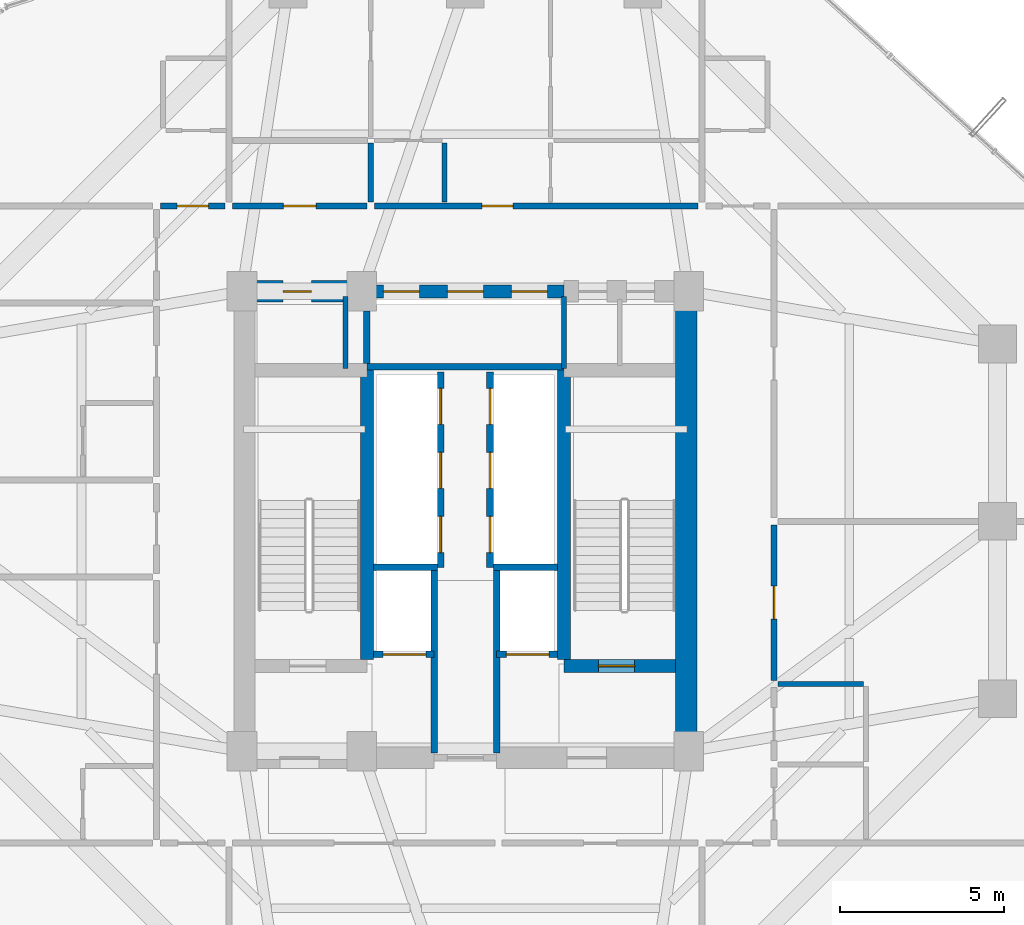
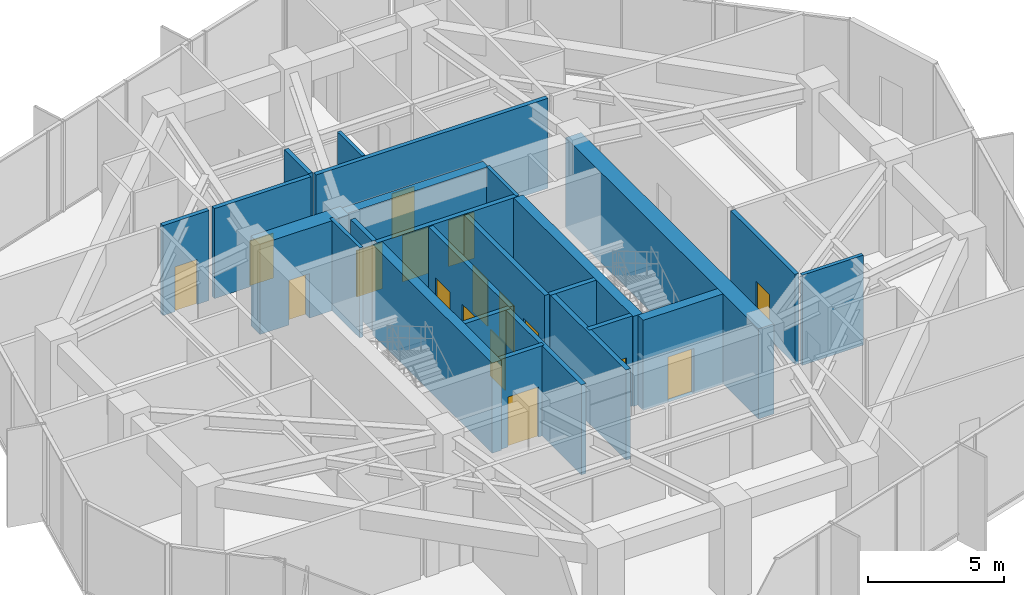
# One storey, part 24 of 28: 25 walls, 17 doors, 17 openings.
"""IFC4 building model written with IfcOpenShell, lengths in metres."""

from ifc_helpers import new_model, si_unit, direction, frame, frame_2d, origin, place, context, subcontext, project, spatial, rectangle, extrude, source, transform, mapped, material, layer, layer_set, type_object, element, fill, save


model = new_model("IFC4")

# Units and contexts
model_context = context("Model", 3, precision=1e-05, world=origin(), true_north=direction((0.0, 1.0)))
body_context = subcontext(model_context, "Body", "Model", "MODEL_VIEW")
ifc_project = project(units=[si_unit("LENGTHUNIT", "METRE"), si_unit("AREAUNIT", "SQUARE_METRE"), si_unit("VOLUMEUNIT", "CUBIC_METRE"), si_unit("PLANEANGLEUNIT", "RADIAN"), si_unit("MASSUNIT", "GRAM", prefix="KILO")], contexts=[model_context])

# Site, building, storey
site_placement = place(None, origin())
site = spatial("IfcSite", under=ifc_project, at=site_placement, CompositionType="ELEMENT")
building_placement = place(site_placement, origin())
building = spatial("IfcBuilding", under=site, at=building_placement, Name="Veraguas Prism Commons", CompositionType="ELEMENT")
storey_placement = place(building_placement, frame((0.0, 0.0, 85.14990234375)))
storey = spatial("IfcBuildingStorey", under=building, at=storey_placement, Name="L23", CompositionType="ELEMENT", Elevation=85.14990234375)

# Wall, openings, doors
ifc_material_1 = material(Name="Concrete C50/60", Category="concrete")
ifc_layer_1 = layer(ifc_material_1, 0.39990234375, Name="Clinic and Mid Core Shear Wall RC 400", Category="concrete")
ifc_layer_set_1 = layer_set([ifc_layer_1], Name="Concrete C50/60")
wall_type_1 = type_object("IfcWallType", Name="Clinic and Mid Core Shear Wall RC 400", PredefinedType="SHEAR", material=ifc_layer_set_1)
wall_1_placement = place(storey_placement, frame((21.0, 31.0, 0.0), z_axis=(0.0, 0.0, 1.0), x_axis=(1.0, 0.0, 0.0)))
wall_1 = element("IfcWall", 1, at=wall_1_placement, inside=storey, type_object=wall_type_1, Name="High-Rise Lift Bank Front Shear Wall L23", PredefinedType="SHEAR", context=body_context, shape_type="SweptSolid", body=[
    extrude(rectangle(XDim=6.0, YDim=0.39990234375, at=frame_2d((3.0, 0.0))), origin(), (0.0, 0.0, 1.0), 4.050048828125),
])
opening_1_placement = place(wall_1_placement, frame((0.5, 0.0, 0.0)))
opening_1 = element("IfcOpeningElement", 2, at=opening_1_placement, cuts=wall_1, Name="Opening LD-01", PredefinedType="OPENING", context=body_context, shape_type="SweptSolid", body=[
    extrude(rectangle(XDim=1.10009765625, YDim=2.080078125, at=frame_2d((0.550048828125, 1.0400390625))), frame((0.0, 0.2099609375, 0.0), z_axis=(0.0, -1.0, 0.0), x_axis=(1.0, 0.0, 0.0)), (0.0, 0.0, 1.0), 0.419921875),
])
opening_2_placement = place(wall_1_placement, frame((2.449951171875, 0.0, 0.0)))
opening_2 = element("IfcOpeningElement", 3, at=opening_2_placement, cuts=wall_1, Name="Opening LD-01", PredefinedType="OPENING", context=body_context, shape_type="SweptSolid", body=[
    extrude(rectangle(XDim=1.10009765625, YDim=2.080078125, at=frame_2d((0.550048828125, 1.0400390625))), frame((0.0, 0.2099609375, 0.0), z_axis=(0.0, -1.0, 0.0), x_axis=(1.0, 0.0, 0.0)), (0.0, 0.0, 1.0), 0.419921875),
])
opening_3_placement = place(wall_1_placement, frame((4.39990234375, 0.0, 0.0)))
opening_3 = element("IfcOpeningElement", 4, at=opening_3_placement, cuts=wall_1, Name="Opening LD-01", PredefinedType="OPENING", context=body_context, shape_type="SweptSolid", body=[
    extrude(rectangle(XDim=1.10009765625, YDim=2.080078125, at=frame_2d((0.550048828125, 1.0400390625))), frame((0.0, 0.2099609375, 0.0), z_axis=(0.0, -1.0, 0.0), x_axis=(1.0, 0.0, 0.0)), (0.0, 0.0, 1.0), 0.419921875),
])
ifc_material_2 = material(Name="Stainless steel AISI 316", Category="steel")
door_type_1 = type_object("IfcDoorType", Name="Passenger Lift Sliding Landing Door 1100x2080", OperationType="NOTDEFINED", PredefinedType="DOOR", material=ifc_material_2)
shared_shape_1 = source(origin(), body_context, "Body", "SweptSolid", [
    extrude(rectangle(XDim=1.10009765625, YDim=2.080078125, at=frame_2d((0.550048828125, 1.0400390625))), frame((0.0, 0.02490234375, 0.0), z_axis=(0.0, -1.0, 0.0), x_axis=(1.0, 0.0, 0.0)), (0.0, 0.0, 1.0), 0.050048828125),
])
door_1_placement = place(opening_1_placement, origin())
door_1 = element("IfcDoor", 5, at=door_1_placement, inside=storey, type_object=door_type_1, Name="Sliding Landing Door PL-H1 L23", OperationType="SLIDING_TO_LEFT", OverallHeight=2.080078125, OverallWidth=1.10009765625, PredefinedType="DOOR", context=body_context, shape_type="MappedRepresentation", body=[
    mapped(shared_shape_1, transform((0.0, 0.0, 0.0), scale=1.0)),
])
fill(opening_1, door_1)
door_2_placement = place(opening_2_placement, origin())
door_2 = element("IfcDoor", 6, at=door_2_placement, inside=storey, type_object=door_type_1, Name="Sliding Landing Door PL-H2 L23", OperationType="SLIDING_TO_LEFT", OverallHeight=2.080078125, OverallWidth=1.10009765625, PredefinedType="DOOR", context=body_context, shape_type="MappedRepresentation", body=[
    mapped(shared_shape_1, transform((0.0, 0.0, 0.0), scale=1.0)),
])
fill(opening_2, door_2)
door_3_placement = place(opening_3_placement, origin())
door_3 = element("IfcDoor", 7, at=door_3_placement, inside=storey, type_object=door_type_1, Name="Sliding Landing Door PL-H3 L23", OperationType="SLIDING_TO_LEFT", OverallHeight=2.080078125, OverallWidth=1.10009765625, PredefinedType="DOOR", context=body_context, shape_type="MappedRepresentation", body=[
    mapped(shared_shape_1, transform((0.0, 0.0, 0.0), scale=1.0)),
])
fill(opening_3, door_3)

# Wall, opening, door
wall_2_placement = place(storey_placement, frame((27.0, 19.60009765625, 0.0), z_axis=(0.0, 0.0, 1.0), x_axis=(1.0, 0.0, 0.0)))
wall_2 = element("IfcWall", 8, at=wall_2_placement, inside=storey, type_object=wall_type_1, Name="Stair ST-02 South Shear Wall L23", PredefinedType="SHEAR", context=body_context, shape_type="SweptSolid", body=[
    extrude(rectangle(XDim=3.39990234375, YDim=0.39990234375, at=frame_2d((1.699951171875, 0.0))), origin(), (0.0, 0.0, 1.0), 4.050048828125),
])
opening_4_placement = place(wall_2_placement, frame((1.050048828125, 0.0, 0.0)))
opening_4 = element("IfcOpeningElement", 9, at=opening_4_placement, cuts=wall_2, Name="Opening DR-05", PredefinedType="OPENING", context=body_context, shape_type="SweptSolid", body=[
    extrude(rectangle(XDim=1.10009765625, YDim=2.030029296875, at=frame_2d((0.550048828125, 1.01513671875))), frame((0.0, 0.2099609375, 0.0), z_axis=(0.0, -1.0, 0.0), x_axis=(1.0, 0.0, 0.0)), (0.0, 0.0, 1.0), 0.419921875),
])
ifc_material_3 = material(Name="Steel fire-rated door assembly", Category="steel")
door_type_2 = type_object("IfcDoorType", Name="Protected Stair and Refuge Fire Door 1100x2030", OperationType="NOTDEFINED", PredefinedType="DOOR", material=ifc_material_3)
shared_shape_2 = source(origin(), body_context, "Body", "SweptSolid", [
    extrude(rectangle(XDim=1.10009765625, YDim=2.030029296875, at=frame_2d((0.550048828125, 1.01513671875))), frame((0.0, 0.02490234375, 0.0), z_axis=(0.0, -1.0, 0.0), x_axis=(1.0, 0.0, 0.0)), (0.0, 0.0, 1.0), 0.050048828125),
])
door_4_placement = place(opening_4_placement, origin())
door_4 = element("IfcDoor", 10, at=door_4_placement, inside=storey, type_object=door_type_2, Name="Stair ST-02 Enclosure Door L23", OperationType="SINGLE_SWING_RIGHT", OverallHeight=2.030029296875, OverallWidth=1.10009765625, PredefinedType="DOOR", context=body_context, shape_type="MappedRepresentation", body=[
    mapped(shared_shape_2, transform((0.0, 0.0, 0.0), scale=1.0)),
])
fill(opening_4, door_4)

# Walls
for number, where, z_axis, x_axis, name in (
    (11, (21.0, 19.800048828125, 0.0), (0.0, 0.0, 1.0), (0.0, 1.0, 0.0), "Stair ST-01 Inner Shear Wall L23"),
    (12, (27.0, 19.800048828125, 0.0), (0.0, 0.0, 1.0), (0.0, 1.0, 0.0), "Stair ST-02 Inner Shear Wall L23"),
):
    element("IfcWall", number, at=place(storey_placement, frame(where, z_axis=z_axis, x_axis=x_axis)), inside=storey, type_object=wall_type_1, Name=name, PredefinedType="SHEAR", context=body_context, shape_type="SweptSolid", body=[
        extrude(rectangle(XDim=8.800048828125, YDim=0.39990234375, at=frame_2d((4.39990234375, 0.0))), origin(), (0.0, 0.0, 1.0), 4.050048828125),
    ])
ifc_material_4 = material(Name="Concrete C55/67", Category="concrete")
ifc_layer_2 = layer(ifc_material_4, 0.64990234375, Name="Core Outer Shear Wall Mid RC 650", Category="concrete")
ifc_layer_set_2 = layer_set([ifc_layer_2], Name="Concrete C55/67")
wall_type_2 = type_object("IfcWallType", Name="Core Outer Shear Wall Mid RC 650", PredefinedType="SHEAR", material=ifc_layer_set_2)
wall_3_placement = place(storey_placement, frame((30.72509765625, 16.800048828125, 0.0), z_axis=(0.0, 0.0, 1.0), x_axis=(0.0, 1.0, 0.0)))
element("IfcWall", 13, at=wall_3_placement, inside=storey, type_object=wall_type_2, Name="Central Core East Shear Wall L23", PredefinedType="SHEAR", context=body_context, shape_type="SweptSolid", body=[
    extrude(rectangle(XDim=14.199951171875, YDim=0.64990234375, at=frame_2d((7.10009765625, 0.0))), origin(), (0.0, 0.0, 1.0), 4.050048828125),
])

# Wall, opening, door
wall_4_placement = place(storey_placement, frame((17.199951171875, 31.0, 0.0), z_axis=(0.0, 0.0, 1.0), x_axis=(1.0, 0.0, 0.0)))
wall_4 = element("IfcWall", 14, at=wall_4_placement, inside=storey, type_object=wall_type_2, Name="Central Core North-West Shear Wall L23", PredefinedType="SHEAR", context=body_context, shape_type="SweptSolid", body=[
    extrude(rectangle(XDim=3.800048828125, YDim=0.64990234375, at=frame_2d((1.89990234375, 0.0))), origin(), (0.0, 0.0, 1.0), 4.050048828125),
])
opening_5_placement = place(wall_4_placement, frame((1.25, 0.0, 0.0)))
opening_5 = element("IfcOpeningElement", 15, at=opening_5_placement, cuts=wall_4, Name="Opening DR-12", PredefinedType="OPENING", context=body_context, shape_type="SweptSolid", body=[
    extrude(rectangle(XDim=0.860107421875, YDim=2.010009765625, at=frame_2d((0.43017578125, 1.0048828125))), frame((0.0, 0.3349609375, 0.0), z_axis=(0.0, -1.0, 0.0), x_axis=(1.0, 0.0, 0.0)), (0.0, 0.0, 1.0), 0.669921875),
])
door_type_3 = type_object("IfcDoorType", Name="Core WC Fire Door 860x2010", OperationType="NOTDEFINED", PredefinedType="DOOR", material=ifc_material_3)
shared_shape_3 = source(origin(), body_context, "Body", "SweptSolid", [
    extrude(rectangle(XDim=0.860107421875, YDim=2.010009765625, at=frame_2d((0.43017578125, 1.0048828125))), frame((0.0, 0.02490234375, 0.0), z_axis=(0.0, -1.0, 0.0), x_axis=(1.0, 0.0, 0.0)), (0.0, 0.0, 1.0), 0.050048828125),
])
door_5_placement = place(opening_5_placement, origin())
door_5 = element("IfcDoor", 16, at=door_5_placement, inside=storey, type_object=door_type_3, Name="Core NW Service Door L23", OperationType="SINGLE_SWING_RIGHT", OverallHeight=2.010009765625, OverallWidth=0.860107421875, PredefinedType="DOOR", context=body_context, shape_type="MappedRepresentation", body=[
    mapped(shared_shape_3, transform((0.0, 0.0, 0.0), scale=1.0)),
])
fill(opening_5, door_5)

ifc_material_5 = material(Name="Autoclaved aerated masonry block 10 MPa", Category="masonry")
ifc_layer_3 = layer(ifc_material_5, 0.179931640625, Name="Corridor and Inter-Tenancy Partition 180", Category="masonry")
ifc_layer_set_3 = layer_set([ifc_layer_3], Name="Autoclaved aerated masonry block 10 MPa")
wall_type_3 = type_object("IfcWallType", Name="Corridor and Inter-Tenancy Partition 180", PredefinedType="PARTITIONING", material=ifc_layer_set_3)
wall_5_placement = place(storey_placement, frame((16.909912109375, 33.60009765625, 0.0), z_axis=(0.0, 0.0, 1.0), x_axis=(1.0, 0.0, 0.0)))
wall_5 = element("IfcWall", 17, at=wall_5_placement, inside=storey, type_object=wall_type_3, Name="WL-L23-PT007", PredefinedType="PARTITIONING", context=body_context, shape_type="SweptSolid", body=[
    extrude(rectangle(XDim=4.10009765625, YDim=0.179931640625, at=frame_2d((2.050048828125, 0.0))), origin(), (0.0, 0.0, 1.0), 4.050048828125),
])
opening_6_placement = place(wall_5_placement, frame((1.550048828125, 0.0, 0.0)))
opening_6 = element("IfcOpeningElement", 18, at=opening_6_placement, cuts=wall_5, Name="Opening DR-13", PredefinedType="OPENING", context=body_context, shape_type="SweptSolid", body=[
    extrude(rectangle(XDim=1.0, YDim=2.010009765625, at=frame_2d((0.5, 1.0048828125))), frame((0.0, 0.099853515625, 0.0), z_axis=(0.0, -1.0, 0.0), x_axis=(1.0, 0.0, 0.0)), (0.0, 0.0, 1.0), 0.199951171875),
])
door_type_4 = type_object("IfcDoorType", Name="Core Accessible WC and Clinic Fire Door 1000x2010", OperationType="NOTDEFINED", PredefinedType="DOOR", material=ifc_material_3)
shared_shape_4 = source(origin(), body_context, "Body", "SweptSolid", [
    extrude(rectangle(XDim=1.0, YDim=2.010009765625, at=frame_2d((0.5, 1.0048828125))), frame((0.0, 0.02490234375, 0.0), z_axis=(0.0, -1.0, 0.0), x_axis=(1.0, 0.0, 0.0)), (0.0, 0.0, 1.0), 0.050048828125),
])
door_6_placement = place(opening_6_placement, origin())
door_6 = element("IfcDoor", 19, at=door_6_placement, inside=storey, type_object=door_type_4, Name="Residents Study Alcove 23A Door", OperationType="SINGLE_SWING_LEFT", OverallHeight=2.010009765625, OverallWidth=1.0, PredefinedType="DOOR", context=body_context, shape_type="MappedRepresentation", body=[
    mapped(shared_shape_4, transform((0.0, 0.0, 0.0), scale=1.0)),
])
fill(opening_6, door_6)

wall_6_placement = place(storey_placement, frame((21.22998046875, 33.60009765625, 0.0), z_axis=(0.0, 0.0, 1.0), x_axis=(1.0, 0.0, 0.0)))
wall_6 = element("IfcWall", 20, at=wall_6_placement, inside=storey, type_object=wall_type_3, Name="WL-L23-PT008", PredefinedType="PARTITIONING", context=body_context, shape_type="SweptSolid", body=[
    extrude(rectangle(XDim=9.860107421875, YDim=0.179931640625, at=frame_2d((4.93017578125, 0.0))), origin(), (0.0, 0.0, 1.0), 4.050048828125),
])
opening_7_placement = place(wall_6_placement, frame((3.27587890625, 0.0, 0.0)))
opening_7 = element("IfcOpeningElement", 21, at=opening_7_placement, cuts=wall_6, Name="Opening DR-01", PredefinedType="OPENING", context=body_context, shape_type="SweptSolid", body=[
    extrude(rectangle(XDim=0.949951171875, YDim=2.02001953125, at=frame_2d((0.47509765625, 1.010009765625))), frame((0.0, 0.099853515625, 0.0), z_axis=(0.0, -1.0, 0.0), x_axis=(1.0, 0.0, 0.0)), (0.0, 0.0, 1.0), 0.199951171875),
])
ifc_material_6 = material(Name="Anodised aluminium EN AW-6063 T6", Category="aluminium")
door_type_5 = type_object("IfcDoorType", Name="Apartment Entrance Fire Door 950x2020", OperationType="NOTDEFINED", PredefinedType="DOOR", material=ifc_material_6)
shared_shape_5 = source(origin(), body_context, "Body", "SweptSolid", [
    extrude(rectangle(XDim=0.949951171875, YDim=2.02001953125, at=frame_2d((0.47509765625, 1.010009765625))), frame((0.0, 0.02490234375, 0.0), z_axis=(0.0, -1.0, 0.0), x_axis=(1.0, 0.0, 0.0)), (0.0, 0.0, 1.0), 0.050048828125),
])
door_7_placement = place(opening_7_placement, origin())
door_7 = element("IfcDoor", 22, at=door_7_placement, inside=storey, type_object=door_type_5, Name="Flat 23A Entrance Door", OperationType="SINGLE_SWING_RIGHT", OverallHeight=2.02001953125, OverallWidth=0.949951171875, PredefinedType="DOOR", context=body_context, shape_type="MappedRepresentation", body=[
    mapped(shared_shape_5, transform((0.0, 0.0, 0.0), scale=1.0)),
])
fill(opening_7, door_7)

# Wall
wall_7_placement = place(storey_placement, frame((21.1201171875, 33.719970703125, 0.0), z_axis=(0.0, 0.0, 1.0), x_axis=(0.0, 1.0, 0.0)))
element("IfcWall", 23, at=wall_7_placement, inside=storey, type_object=wall_type_3, Name="WL-L23-PT012", PredefinedType="PARTITIONING", context=body_context, shape_type="SweptSolid", body=[
    extrude(rectangle(XDim=1.800048828125, YDim=0.179931640625, at=frame_2d((0.89990234375, 0.0))), origin(), (0.0, 0.0, 1.0), 4.050048828125),
])

# Wall, opening, door
wall_8_placement = place(storey_placement, frame((33.39990234375, 19.159912109375, 0.0), z_axis=(0.0, 0.0, 1.0), x_axis=(0.0, 1.0, 0.0)))
wall_8 = element("IfcWall", 24, at=wall_8_placement, inside=storey, type_object=wall_type_3, Name="WL-L23-PT036", PredefinedType="PARTITIONING", context=body_context, shape_type="SweptSolid", body=[
    extrude(rectangle(XDim=4.72998046875, YDim=0.179931640625, at=frame_2d((2.364990234375, 0.0))), origin(), (0.0, 0.0, 1.0), 4.050048828125),
])
opening_8_placement = place(wall_8_placement, frame((1.864990234375, 0.0, 0.0)))
opening_8 = element("IfcOpeningElement", 25, at=opening_8_placement, cuts=wall_8, Name="Opening DR-13", PredefinedType="OPENING", context=body_context, shape_type="SweptSolid", body=[
    extrude(rectangle(XDim=1.0, YDim=2.010009765625, at=frame_2d((0.5, 1.0048828125))), frame((0.0, 0.099853515625, 0.0), z_axis=(0.0, -1.0, 0.0), x_axis=(1.0, 0.0, 0.0)), (0.0, 0.0, 1.0), 0.199951171875),
])
door_8_placement = place(opening_8_placement, origin())
door_8 = element("IfcDoor", 26, at=door_8_placement, inside=storey, type_object=door_type_4, Name="Quiet Study L23 Door", OperationType="SINGLE_SWING_RIGHT", OverallHeight=2.010009765625, OverallWidth=1.0, PredefinedType="DOOR", context=body_context, shape_type="MappedRepresentation", body=[
    mapped(shared_shape_4, transform((0.0, 0.0, 0.0), scale=1.0)),
])
fill(opening_8, door_8)

wall_9_placement = place(storey_placement, frame((14.719970703125, 33.60009765625, 0.0), z_axis=(0.0, 0.0, 1.0), x_axis=(1.0, 0.0, 0.0)))
wall_9 = element("IfcWall", 27, at=wall_9_placement, inside=storey, type_object=wall_type_3, Name="WL-L23-PT046", PredefinedType="PARTITIONING", context=body_context, shape_type="SweptSolid", body=[
    extrude(rectangle(XDim=1.9599609375, YDim=0.179931640625, at=frame_2d((0.97998046875, 0.0))), origin(), (0.0, 0.0, 1.0), 4.050048828125),
])
opening_9_placement = place(wall_9_placement, frame((0.5048828125, 0.0, 0.0)))
opening_9 = element("IfcOpeningElement", 28, at=opening_9_placement, cuts=wall_9, Name="Opening DR-01", PredefinedType="OPENING", context=body_context, shape_type="SweptSolid", body=[
    extrude(rectangle(XDim=0.949951171875, YDim=2.02001953125, at=frame_2d((0.47509765625, 1.010009765625))), frame((0.0, 0.099853515625, 0.0), z_axis=(0.0, -1.0, 0.0), x_axis=(1.0, 0.0, 0.0)), (0.0, 0.0, 1.0), 0.199951171875),
])
door_9_placement = place(opening_9_placement, origin())
door_9 = element("IfcDoor", 29, at=door_9_placement, inside=storey, type_object=door_type_5, Name="Studio 23D Entrance Door", OperationType="SINGLE_SWING_LEFT", OverallHeight=2.02001953125, OverallWidth=0.949951171875, PredefinedType="DOOR", context=body_context, shape_type="MappedRepresentation", body=[
    mapped(shared_shape_5, transform((0.0, 0.0, 0.0), scale=1.0)),
])
fill(opening_9, door_9)

ifc_layer_4 = layer(ifc_material_5, 0.199951171875, Name="Rated Shaft and Lobby Block Wall 200", Category="masonry")
ifc_layer_set_4 = layer_set([ifc_layer_4], Name="Autoclaved aerated masonry block 10 MPa")
wall_type_4 = type_object("IfcWallType", Name="Rated Shaft and Lobby Block Wall 200", PredefinedType="SOLIDWALL", material=ifc_layer_set_4)
wall_10_placement = place(storey_placement, frame((21.199951171875, 19.949951171875, 0.0), z_axis=(0.0, 0.0, 1.0), x_axis=(1.0, 0.0, 0.0)))
wall_10 = element("IfcWall", 30, at=wall_10_placement, inside=storey, type_object=wall_type_4, Name="Firefighting Lift FFL-1 Front Wall L23", PredefinedType="SOLIDWALL", context=body_context, shape_type="SweptSolid", body=[
    extrude(rectangle(XDim=1.85009765625, YDim=0.199951171875, at=frame_2d((0.925048828125, 0.0))), origin(), (0.0, 0.0, 1.0), 4.050048828125),
])
opening_10_placement = place(wall_10_placement, frame((0.300048828125, 0.0, 0.0)))
opening_10 = element("IfcOpeningElement", 31, at=opening_10_placement, cuts=wall_10, Name="Opening LD-02", PredefinedType="OPENING", context=body_context, shape_type="SweptSolid", body=[
    extrude(rectangle(XDim=1.300048828125, YDim=2.25, at=frame_2d((0.64990234375, 1.125))), frame((0.0, 0.10986328125, 0.0), z_axis=(0.0, -1.0, 0.0), x_axis=(1.0, 0.0, 0.0)), (0.0, 0.0, 1.0), 0.219970703125),
])
door_type_6 = type_object("IfcDoorType", Name="Firefighting Lift Sliding Landing Door 1300x2250", OperationType="NOTDEFINED", PredefinedType="DOOR", material=ifc_material_2)
shared_shape_6 = source(origin(), body_context, "Body", "SweptSolid", [
    extrude(rectangle(XDim=1.300048828125, YDim=2.25, at=frame_2d((0.64990234375, 1.125))), frame((0.0, 0.02490234375, 0.0), z_axis=(0.0, -1.0, 0.0), x_axis=(1.0, 0.0, 0.0)), (0.0, 0.0, 1.0), 0.050048828125),
])
door_10_placement = place(opening_10_placement, origin())
door_10 = element("IfcDoor", 32, at=door_10_placement, inside=storey, type_object=door_type_6, Name="Firefighting Lift FFL-1 Landing Door L23", OperationType="SLIDING_TO_LEFT", OverallHeight=2.25, OverallWidth=1.300048828125, PredefinedType="DOOR", context=body_context, shape_type="MappedRepresentation", body=[
    mapped(shared_shape_6, transform((0.0, 0.0, 0.0), scale=1.0)),
])
fill(opening_10, door_10)

wall_11_placement = place(storey_placement, frame((24.949951171875, 19.949951171875, 0.0), z_axis=(0.0, 0.0, 1.0), x_axis=(1.0, 0.0, 0.0)))
wall_11 = element("IfcWall", 33, at=wall_11_placement, inside=storey, type_object=wall_type_4, Name="Firefighting Lift FFL-2 Front Wall L23", PredefinedType="SOLIDWALL", context=body_context, shape_type="SweptSolid", body=[
    extrude(rectangle(XDim=1.85009765625, YDim=0.199951171875, at=frame_2d((0.925048828125, 0.0))), origin(), (0.0, 0.0, 1.0), 4.050048828125),
])
opening_11_placement = place(wall_11_placement, frame((0.300048828125, 0.0, 0.0)))
opening_11 = element("IfcOpeningElement", 34, at=opening_11_placement, cuts=wall_11, Name="Opening LD-02", PredefinedType="OPENING", context=body_context, shape_type="SweptSolid", body=[
    extrude(rectangle(XDim=1.300048828125, YDim=2.25, at=frame_2d((0.64990234375, 1.125))), frame((0.0, 0.10986328125, 0.0), z_axis=(0.0, -1.0, 0.0), x_axis=(1.0, 0.0, 0.0)), (0.0, 0.0, 1.0), 0.219970703125),
])
door_11_placement = place(opening_11_placement, origin())
door_11 = element("IfcDoor", 35, at=door_11_placement, inside=storey, type_object=door_type_6, Name="Firefighting Lift FFL-2 Front Wall L23", OperationType="SLIDING_TO_LEFT", OverallHeight=2.25, OverallWidth=1.300048828125, PredefinedType="DOOR", context=body_context, shape_type="MappedRepresentation", body=[
    mapped(shared_shape_6, transform((0.0, 0.0, 0.0), scale=1.0)),
])
fill(opening_11, door_11)

# Walls
for number, where, z_axis, x_axis, name in (
    (36, (23.050048828125, 16.949951171875, 0.0), (0.0, 0.0, 1.0), (0.0, 1.0, 0.0), "West FF Lobby Divider Wall L23"),
    (37, (24.949951171875, 16.949951171875, 0.0), (0.0, 0.0, 1.0), (0.0, 1.0, 0.0), "East FF Lobby Divider Wall L23"),
):
    element("IfcWall", number, at=place(storey_placement, frame(where, z_axis=z_axis, x_axis=x_axis)), inside=storey, type_object=wall_type_4, Name=name, PredefinedType="SOLIDWALL", context=body_context, shape_type="SweptSolid", body=[
        extrude(rectangle(XDim=5.60009765625, YDim=0.199951171875, at=frame_2d((2.800048828125, 0.0))), origin(), (0.0, 0.0, 1.0), 4.050048828125),
    ])
for number, where, z_axis, x_axis, name in (
    (38, (21.199951171875, 22.60009765625, 0.0), (0.0, 0.0, 1.0), (1.0, 0.0, 0.0), "Firefighting Lift FFL-1 Rear Wall L23"),
    (39, (24.85009765625, 22.60009765625, 0.0), (0.0, 0.0, 1.0), (1.0, 0.0, 0.0), "Firefighting Lift FFL-2 Rear Wall L23"),
):
    element("IfcWall", number, at=place(storey_placement, frame(where, z_axis=z_axis, x_axis=x_axis)), inside=storey, type_object=wall_type_4, Name=name, PredefinedType="SOLIDWALL", context=body_context, shape_type="SweptSolid", body=[
        extrude(rectangle(XDim=1.949951171875, YDim=0.199951171875, at=frame_2d((0.97509765625, 0.0))), origin(), (0.0, 0.0, 1.0), 4.050048828125),
    ])
wall_12_placement = place(storey_placement, frame((21.0, 28.699951171875, 0.0), z_axis=(0.0, 0.0, 1.0), x_axis=(1.0, 0.0, 0.0)))
element("IfcWall", 40, at=wall_12_placement, inside=storey, type_object=wall_type_4, Name="High-Rise Lift Bank Rear Shaft Wall L23", PredefinedType="SOLIDWALL", context=body_context, shape_type="SweptSolid", body=[
    extrude(rectangle(XDim=6.0, YDim=0.199951171875, at=frame_2d((3.0, 0.0))), origin(), (0.0, 0.0, 1.0), 4.050048828125),
])
wall_13_placement = place(storey_placement, frame((21.0, 28.800048828125, 0.0), z_axis=(0.0, 0.0, 1.0), x_axis=(0.0, 1.0, 0.0)))
element("IfcWall", 41, at=wall_13_placement, inside=storey, type_object=wall_type_4, Name="High-Rise Lift Bank West Shaft Wall L23", PredefinedType="SOLIDWALL", context=body_context, shape_type="SweptSolid", body=[
    extrude(rectangle(XDim=1.599853515625, YDim=0.199951171875, at=frame_2d((0.7998046875, 0.0))), origin(), (0.0, 0.0, 1.0), 4.050048828125),
])

# Wall, openings, doors
wall_14_placement = place(storey_placement, frame((23.25, 22.60009765625, 0.0), z_axis=(0.0, 0.0, 1.0), x_axis=(0.0, 1.0, 0.0)))
wall_14 = element("IfcWall", 42, at=wall_14_placement, inside=storey, type_object=wall_type_4, Name="Low-Rise Lift Bank Front Wall L23", PredefinedType="SOLIDWALL", context=body_context, shape_type="SweptSolid", body=[
    extrude(rectangle(XDim=5.949951171875, YDim=0.199951171875, at=frame_2d((2.97509765625, 0.0))), origin(), (0.0, 0.0, 1.0), 4.050048828125),
])
opening_12_placement = place(wall_14_placement, frame((0.449951171875, 0.0, 0.0)))
opening_12 = element("IfcOpeningElement", 43, at=opening_12_placement, cuts=wall_14, Name="Opening LD-01", PredefinedType="OPENING", context=body_context, shape_type="SweptSolid", body=[
    extrude(rectangle(XDim=1.10009765625, YDim=2.080078125, at=frame_2d((0.550048828125, 1.0400390625))), frame((0.0, 0.10986328125, 0.0), z_axis=(0.0, -1.0, 0.0), x_axis=(1.0, 0.0, 0.0)), (0.0, 0.0, 1.0), 0.219970703125),
])
opening_13_placement = place(wall_14_placement, frame((2.39990234375, 0.0, 0.0)))
opening_13 = element("IfcOpeningElement", 44, at=opening_13_placement, cuts=wall_14, Name="Opening LD-01", PredefinedType="OPENING", context=body_context, shape_type="SweptSolid", body=[
    extrude(rectangle(XDim=1.10009765625, YDim=2.080078125, at=frame_2d((0.550048828125, 1.0400390625))), frame((0.0, 0.10986328125, 0.0), z_axis=(0.0, -1.0, 0.0), x_axis=(1.0, 0.0, 0.0)), (0.0, 0.0, 1.0), 0.219970703125),
])
opening_14_placement = place(wall_14_placement, frame((4.35009765625, 0.0, 0.0)))
opening_14 = element("IfcOpeningElement", 45, at=opening_14_placement, cuts=wall_14, Name="Opening LD-01", PredefinedType="OPENING", context=body_context, shape_type="SweptSolid", body=[
    extrude(rectangle(XDim=1.10009765625, YDim=2.080078125, at=frame_2d((0.550048828125, 1.0400390625))), frame((0.0, 0.10986328125, 0.0), z_axis=(0.0, -1.0, 0.0), x_axis=(1.0, 0.0, 0.0)), (0.0, 0.0, 1.0), 0.219970703125),
])
door_12_placement = place(opening_12_placement, origin())
door_12 = element("IfcDoor", 46, at=door_12_placement, inside=storey, type_object=door_type_1, Name="Sliding Landing Door PL-L1 L23", OperationType="SLIDING_TO_LEFT", OverallHeight=2.080078125, OverallWidth=1.10009765625, PredefinedType="DOOR", context=body_context, shape_type="MappedRepresentation", body=[
    mapped(shared_shape_1, transform((0.0, 0.0, 0.0), scale=1.0)),
])
fill(opening_12, door_12)
door_13_placement = place(opening_13_placement, origin())
door_13 = element("IfcDoor", 47, at=door_13_placement, inside=storey, type_object=door_type_1, Name="Sliding Landing Door PL-L2 L23", OperationType="SLIDING_TO_LEFT", OverallHeight=2.080078125, OverallWidth=1.10009765625, PredefinedType="DOOR", context=body_context, shape_type="MappedRepresentation", body=[
    mapped(shared_shape_1, transform((0.0, 0.0, 0.0), scale=1.0)),
])
fill(opening_13, door_13)
door_14_placement = place(opening_14_placement, origin())
door_14 = element("IfcDoor", 48, at=door_14_placement, inside=storey, type_object=door_type_1, Name="Sliding Landing Door PL-L3 L23", OperationType="SLIDING_TO_LEFT", OverallHeight=2.080078125, OverallWidth=1.10009765625, PredefinedType="DOOR", context=body_context, shape_type="MappedRepresentation", body=[
    mapped(shared_shape_1, transform((0.0, 0.0, 0.0), scale=1.0)),
])
fill(opening_14, door_14)

wall_15_placement = place(storey_placement, frame((24.75, 22.60009765625, 0.0), z_axis=(0.0, 0.0, 1.0), x_axis=(0.0, 1.0, 0.0)))
wall_15 = element("IfcWall", 49, at=wall_15_placement, inside=storey, type_object=wall_type_4, Name="Mid-Rise Lift Bank Front Wall L23", PredefinedType="SOLIDWALL", context=body_context, shape_type="SweptSolid", body=[
    extrude(rectangle(XDim=5.949951171875, YDim=0.199951171875, at=frame_2d((2.97509765625, 0.0))), origin(), (0.0, 0.0, 1.0), 4.050048828125),
])
opening_15_placement = place(wall_15_placement, frame((0.449951171875, 0.0, 0.0)))
opening_15 = element("IfcOpeningElement", 50, at=opening_15_placement, cuts=wall_15, Name="Opening LD-01", PredefinedType="OPENING", context=body_context, shape_type="SweptSolid", body=[
    extrude(rectangle(XDim=1.10009765625, YDim=2.080078125, at=frame_2d((0.550048828125, 1.0400390625))), frame((0.0, 0.10986328125, 0.0), z_axis=(0.0, -1.0, 0.0), x_axis=(1.0, 0.0, 0.0)), (0.0, 0.0, 1.0), 0.219970703125),
])
opening_16_placement = place(wall_15_placement, frame((2.39990234375, 0.0, 0.0)))
opening_16 = element("IfcOpeningElement", 51, at=opening_16_placement, cuts=wall_15, Name="Opening LD-01", PredefinedType="OPENING", context=body_context, shape_type="SweptSolid", body=[
    extrude(rectangle(XDim=1.10009765625, YDim=2.080078125, at=frame_2d((0.550048828125, 1.0400390625))), frame((0.0, 0.10986328125, 0.0), z_axis=(0.0, -1.0, 0.0), x_axis=(1.0, 0.0, 0.0)), (0.0, 0.0, 1.0), 0.219970703125),
])
opening_17_placement = place(wall_15_placement, frame((4.35009765625, 0.0, 0.0)))
opening_17 = element("IfcOpeningElement", 52, at=opening_17_placement, cuts=wall_15, Name="Opening LD-01", PredefinedType="OPENING", context=body_context, shape_type="SweptSolid", body=[
    extrude(rectangle(XDim=1.10009765625, YDim=2.080078125, at=frame_2d((0.550048828125, 1.0400390625))), frame((0.0, 0.10986328125, 0.0), z_axis=(0.0, -1.0, 0.0), x_axis=(1.0, 0.0, 0.0)), (0.0, 0.0, 1.0), 0.219970703125),
])
door_15_placement = place(opening_15_placement, origin())
door_15 = element("IfcDoor", 53, at=door_15_placement, inside=storey, type_object=door_type_1, Name="Sliding Landing Door PL-M1 L23", OperationType="SLIDING_TO_LEFT", OverallHeight=2.080078125, OverallWidth=1.10009765625, PredefinedType="DOOR", context=body_context, shape_type="MappedRepresentation", body=[
    mapped(shared_shape_1, transform((0.0, 0.0, 0.0), scale=1.0)),
])
fill(opening_15, door_15)
door_16_placement = place(opening_16_placement, origin())
door_16 = element("IfcDoor", 54, at=door_16_placement, inside=storey, type_object=door_type_1, Name="Sliding Landing Door PL-M2 L23", OperationType="SLIDING_TO_LEFT", OverallHeight=2.080078125, OverallWidth=1.10009765625, PredefinedType="DOOR", context=body_context, shape_type="MappedRepresentation", body=[
    mapped(shared_shape_1, transform((0.0, 0.0, 0.0), scale=1.0)),
])
fill(opening_16, door_16)
door_17_placement = place(opening_17_placement, origin())
door_17 = element("IfcDoor", 55, at=door_17_placement, inside=storey, type_object=door_type_1, Name="Sliding Landing Door PL-M3 L23", OperationType="SLIDING_TO_LEFT", OverallHeight=2.080078125, OverallWidth=1.10009765625, PredefinedType="DOOR", context=body_context, shape_type="MappedRepresentation", body=[
    mapped(shared_shape_1, transform((0.0, 0.0, 0.0), scale=1.0)),
])
fill(opening_17, door_17)

# Walls
ifc_material_7 = material(Name="Lightweight acoustic gypsum board")
ifc_layer_5 = layer(ifc_material_7, 0.14990234375, Name="Wet Room and Clinic Acoustic Partition 150")
ifc_layer_set_5 = layer_set([ifc_layer_5], Name="Lightweight acoustic gypsum board")
wall_type_5 = type_object("IfcWallType", Name="Wet Room and Clinic Acoustic Partition 150", PredefinedType="PARTITIONING", material=ifc_layer_set_5)
for number, where, z_axis, x_axis, name in (
    (56, (20.35009765625, 28.64990234375, 0.0), (0.0, 0.0, 1.0), (0.0, 1.0, 0.0), "Core NW Service Inner Wall L23"),
    (57, (27.0, 28.64990234375, 0.0), (0.0, 0.0, 1.0), (0.0, 1.0, 0.0), "Core NE Service Inner Wall L23"),
):
    element("IfcWall", number, at=place(storey_placement, frame(where, z_axis=z_axis, x_axis=x_axis)), inside=storey, type_object=wall_type_5, Name=name, PredefinedType="PARTITIONING", context=body_context, shape_type="SweptSolid", body=[
        extrude(rectangle(XDim=2.2001953125, YDim=0.14990234375, at=frame_2d((1.10009765625, 0.0))), origin(), (0.0, 0.0, 1.0), 4.050048828125),
    ])
wall_16_placement = place(storey_placement, frame((23.3701171875, 33.719970703125, 0.0), z_axis=(0.0, 0.0, 1.0), x_axis=(0.0, 1.0, 0.0)))
element("IfcWall", 58, at=wall_16_placement, inside=storey, type_object=wall_type_5, Name="WL-L23-PT014", PredefinedType="PARTITIONING", context=body_context, shape_type="SweptSolid", body=[
    extrude(rectangle(XDim=1.800048828125, YDim=0.14990234375, at=frame_2d((0.89990234375, 0.0))), origin(), (0.0, 0.0, 1.0), 4.050048828125),
])
wall_17_placement = place(storey_placement, frame((33.52001953125, 19.050048828125, 0.0), z_axis=(0.0, 0.0, 1.0), x_axis=(1.0, 0.0, 0.0)))
element("IfcWall", 59, at=wall_17_placement, inside=storey, type_object=wall_type_5, Name="WL-L23-PT039", PredefinedType="PARTITIONING", context=body_context, shape_type="SweptSolid", body=[
    extrude(rectangle(XDim=2.60009765625, YDim=0.14990234375, at=frame_2d((1.300048828125, 0.0))), origin(), (0.0, 0.0, 1.0), 4.050048828125),
])

save(model, "model.ifc")
